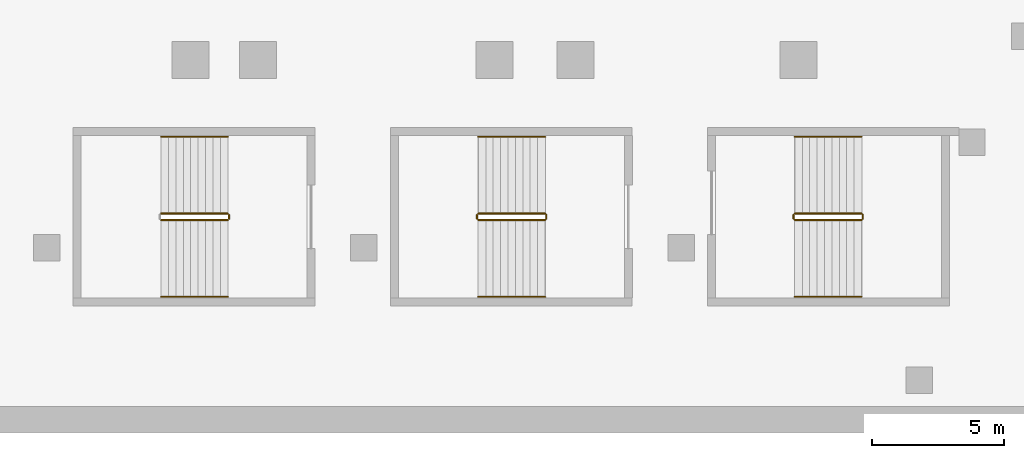
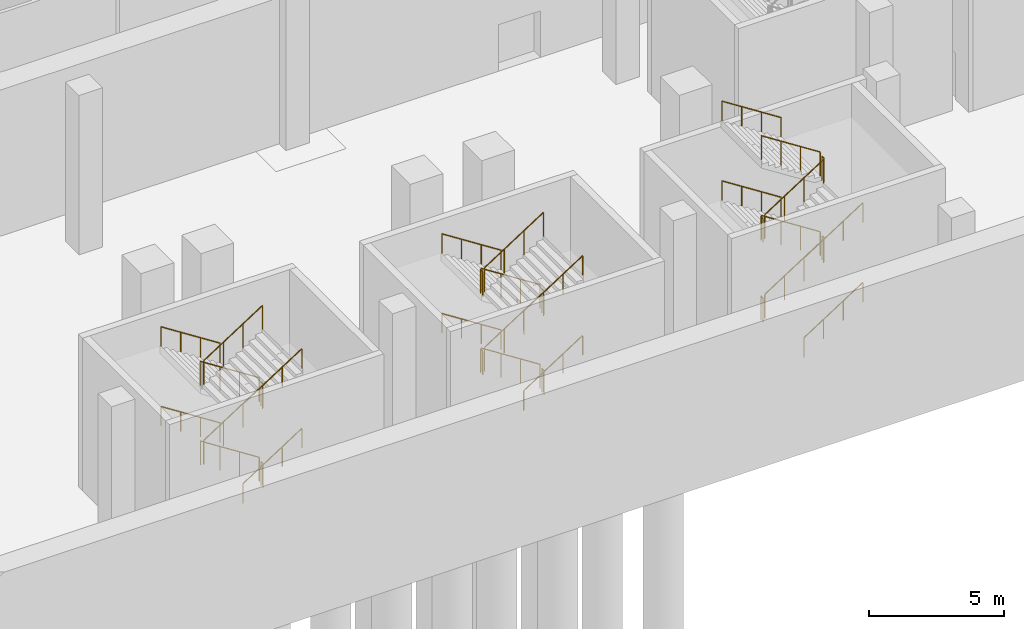
# One storey, part 13 of 15: 34 railings.
"""IFC4 building model written with IfcOpenShell, lengths in metres."""

from ifc_helpers import new_model, si_unit, direction, frame, origin, origin_2d, place, context, subcontext, project, spatial, circle, extrude, material, type_object, element, save


model = new_model("IFC4")

# Units and contexts
model_context = context("Model", 3, precision=1e-05, world=origin(), true_north=direction((0.0, 1.0)))
body_context = subcontext(model_context, "Body", "Model", "MODEL_VIEW")
ifc_project = project(units=[si_unit("LENGTHUNIT", "METRE"), si_unit("AREAUNIT", "SQUARE_METRE"), si_unit("VOLUMEUNIT", "CUBIC_METRE"), si_unit("PLANEANGLEUNIT", "RADIAN"), si_unit("MASSUNIT", "GRAM", prefix="KILO")], contexts=[model_context])

# Site, building, storey
site_placement = place(None, origin())
site = spatial("IfcSite", under=ifc_project, at=site_placement, CompositionType="ELEMENT")
building_placement = place(site_placement, origin())
building = spatial("IfcBuilding", under=site, at=building_placement, Name="Wharfspan Tower", CompositionType="ELEMENT")
storey_placement = place(building_placement, frame((0.0, 0.0, -7.199951)))
storey = spatial("IfcBuildingStorey", under=building, at=storey_placement, Name="B1", CompositionType="ELEMENT", Elevation=-7.199951)

# Railings
ifc_material = material(Name="Steel S355J2", Category="steel")
railing_type_1 = type_object("IfcRailingType", Name="Podium guard 1100", PredefinedType="GUARDRAIL", material=ifc_material)
railing_1_placement = place(storey_placement, frame((58.850098, -27.699951, 0.179932)))
element("IfcRailing", 1, at=railing_1_placement, inside=storey, type_object=railing_type_1, Name="B1 SB3 stair guard 1", PredefinedType="GUARDRAIL", context=body_context, shape_type="SweptSolid", body=[
    extrude(circle(Radius=0.023926, at=origin_2d()), frame((0.0, 0.0, 1.076172), z_axis=(-0.841163, 0.0, 0.540782), x_axis=(0.0, -1.0, 0.0)), (0.0, 0.0, 1.0), 2.99585),
    extrude(circle(Radius=0.020996, at=origin_2d()), origin(), (0.0, 0.0, 1.0), 1.052002),
    extrude(circle(Radius=0.020996, at=origin_2d()), frame((-0.840088, 0.0, 0.540039)), (0.0, 0.0, 1.0), 1.052002),
    extrude(circle(Radius=0.020996, at=origin_2d()), frame((-1.679932, 0.0, 1.080078)), (0.0, 0.0, 1.0), 1.052002),
    extrude(circle(Radius=0.020996, at=origin_2d()), frame((-2.52002, 0.0, 1.620117)), (0.0, 0.0, 1.0), 1.052002),
])
railing_2_placement = place(storey_placement, frame((56.330078, -27.949951, 1.97998)))
element("IfcRailing", 2, at=railing_2_placement, inside=storey, type_object=railing_type_1, Name="B1 SB3 stair guard 3", PredefinedType="GUARDRAIL", context=body_context, shape_type="SweptSolid", body=[
    extrude(circle(Radius=0.023926, at=origin_2d()), frame((0.0, 0.0, 1.076172), z_axis=(0.8412, 0.0, 0.540725), x_axis=(0.0, 1.0, 0.0)), (0.0, 0.0, 1.0), 2.99585),
    extrude(circle(Radius=0.020996, at=origin_2d()), origin(), (0.0, 0.0, 1.0), 1.052002),
    extrude(circle(Radius=0.020996, at=origin_2d()), frame((0.840088, 0.0, 0.540039)), (0.0, 0.0, 1.0), 1.052002),
    extrude(circle(Radius=0.020996, at=origin_2d()), frame((1.679932, 0.0, 1.079834)), (0.0, 0.0, 1.0), 1.052002),
    extrude(circle(Radius=0.020996, at=origin_2d()), frame((2.52002, 0.0, 1.619873)), (0.0, 0.0, 1.0), 1.052002),
])
railing_3_placement = place(storey_placement, frame((58.899902, -27.75, 3.599854)))
element("IfcRailing", 3, at=railing_3_placement, inside=storey, type_object=railing_type_1, Name="B1 SB3 stair guard 4", PredefinedType="GUARDRAIL", context=body_context, shape_type="SweptSolid", body=[
    extrude(circle(Radius=0.023926, at=origin_2d()), frame((0.0, 0.0, 1.076172), z_axis=(0.0, -1.0, 0.0), x_axis=(1.0, 0.0, 0.0)), (0.0, 0.0, 1.0), 0.149902),
    extrude(circle(Radius=0.020996, at=origin_2d()), origin(), (0.0, 0.0, 1.0), 1.052002),
    extrude(circle(Radius=0.020996, at=origin_2d()), frame((0.0, -0.149902, 0.0)), (0.0, 0.0, 1.0), 1.052002),
])
railing_4_placement = place(storey_placement, frame((58.850098, -27.699951, 3.780029)))
element("IfcRailing", 4, at=railing_4_placement, inside=storey, type_object=railing_type_1, Name="B1 SB3 stair guard 5", PredefinedType="GUARDRAIL", context=body_context, shape_type="SweptSolid", body=[
    extrude(circle(Radius=0.023926, at=origin_2d()), frame((0.0, 0.0, 1.076172), z_axis=(-0.8412, 0.0, 0.540725), x_axis=(0.0, -1.0, 0.0)), (0.0, 0.0, 1.0), 2.99585),
    extrude(circle(Radius=0.020996, at=origin_2d()), origin(), (0.0, 0.0, 1.0), 1.052002),
    extrude(circle(Radius=0.020996, at=origin_2d()), frame((-0.840088, 0.0, 0.540039)), (0.0, 0.0, 1.0), 1.052002),
    extrude(circle(Radius=0.020996, at=origin_2d()), frame((-1.679932, 0.0, 1.079834)), (0.0, 0.0, 1.0), 1.052002),
    extrude(circle(Radius=0.020996, at=origin_2d()), frame((-2.52002, 0.0, 1.619873)), (0.0, 0.0, 1.0), 1.052002),
])
railing_5_placement = place(storey_placement, frame((56.330078, -27.949951, 5.579834)))
element("IfcRailing", 5, at=railing_5_placement, inside=storey, type_object=railing_type_1, Name="B1 SB3 stair guard 7", PredefinedType="GUARDRAIL", context=body_context, shape_type="SweptSolid", body=[
    extrude(circle(Radius=0.023926, at=origin_2d()), frame((0.0, 0.0, 1.076172), z_axis=(0.841163, 0.0, 0.540782), x_axis=(0.0, 1.0, 0.0)), (0.0, 0.0, 1.0), 2.99585),
    extrude(circle(Radius=0.020996, at=origin_2d()), origin(), (0.0, 0.0, 1.0), 1.052002),
    extrude(circle(Radius=0.020996, at=origin_2d()), frame((0.840088, 0.0, 0.540039)), (0.0, 0.0, 1.0), 1.052002),
    extrude(circle(Radius=0.020996, at=origin_2d()), frame((1.679932, 0.0, 1.080078)), (0.0, 0.0, 1.0), 1.052002),
    extrude(circle(Radius=0.020996, at=origin_2d()), frame((2.52002, 0.0, 1.620117)), (0.0, 0.0, 1.0), 1.052002),
])
railing_6_placement = place(storey_placement, frame((58.899902, -27.75, 0.0)))
element("IfcRailing", 6, at=railing_6_placement, inside=storey, type_object=railing_type_1, Name="B1 SB3 stair guard 8", PredefinedType="GUARDRAIL", context=body_context, shape_type="SweptSolid", body=[
    extrude(circle(Radius=0.023926, at=origin_2d()), frame((0.0, 0.0, 1.076172), z_axis=(0.0, -1.0, 0.0), x_axis=(1.0, 0.0, 0.0)), (0.0, 0.0, 1.0), 0.149902),
    extrude(circle(Radius=0.020996, at=origin_2d()), origin(), (0.0, 0.0, 1.0), 1.052002),
    extrude(circle(Radius=0.020996, at=origin_2d()), frame((0.0, -0.149902, 0.0)), (0.0, 0.0, 1.0), 1.052002),
])
railing_7_placement = place(storey_placement, frame((70.850098, -27.699951, 0.179932)))
element("IfcRailing", 7, at=railing_7_placement, inside=storey, type_object=railing_type_1, Name="B1 SB4 stair guard 1", PredefinedType="GUARDRAIL", context=body_context, shape_type="SweptSolid", body=[
    extrude(circle(Radius=0.023926, at=origin_2d()), frame((0.0, 0.0, 1.076172), z_axis=(-0.841163, 0.0, 0.540782), x_axis=(0.0, -1.0, 0.0)), (0.0, 0.0, 1.0), 2.99585),
    extrude(circle(Radius=0.020996, at=origin_2d()), origin(), (0.0, 0.0, 1.0), 1.052002),
    extrude(circle(Radius=0.020996, at=origin_2d()), frame((-0.840088, 0.0, 0.540039)), (0.0, 0.0, 1.0), 1.052002),
    extrude(circle(Radius=0.020996, at=origin_2d()), frame((-1.679932, 0.0, 1.080078)), (0.0, 0.0, 1.0), 1.052002),
    extrude(circle(Radius=0.020996, at=origin_2d()), frame((-2.52002, 0.0, 1.620117)), (0.0, 0.0, 1.0), 1.052002),
])
railing_8_placement = place(storey_placement, frame((68.280029, -27.75, 1.800049)))
element("IfcRailing", 8, at=railing_8_placement, inside=storey, type_object=railing_type_1, Name="B1 SB4 stair guard 2", PredefinedType="GUARDRAIL", context=body_context, shape_type="SweptSolid", body=[
    extrude(circle(Radius=0.023926, at=origin_2d()), frame((0.0, 0.0, 1.076172), z_axis=(0.0, -1.0, 0.0), x_axis=(1.0, 0.0, 0.0)), (0.0, 0.0, 1.0), 0.149902),
    extrude(circle(Radius=0.020996, at=origin_2d()), origin(), (0.0, 0.0, 1.0), 1.052002),
    extrude(circle(Radius=0.020996, at=origin_2d()), frame((0.0, -0.149902, 0.0)), (0.0, 0.0, 1.0), 1.052002),
])
railing_9_placement = place(storey_placement, frame((68.330078, -27.949951, 1.97998)))
element("IfcRailing", 9, at=railing_9_placement, inside=storey, type_object=railing_type_1, Name="B1 SB4 stair guard 3", PredefinedType="GUARDRAIL", context=body_context, shape_type="SweptSolid", body=[
    extrude(circle(Radius=0.023926, at=origin_2d()), frame((0.0, 0.0, 1.076172), z_axis=(0.8412, 0.0, 0.540725), x_axis=(0.0, 1.0, 0.0)), (0.0, 0.0, 1.0), 2.99585),
    extrude(circle(Radius=0.020996, at=origin_2d()), origin(), (0.0, 0.0, 1.0), 1.052002),
    extrude(circle(Radius=0.020996, at=origin_2d()), frame((0.840088, 0.0, 0.540039)), (0.0, 0.0, 1.0), 1.052002),
    extrude(circle(Radius=0.020996, at=origin_2d()), frame((1.679932, 0.0, 1.079834)), (0.0, 0.0, 1.0), 1.052002),
    extrude(circle(Radius=0.020996, at=origin_2d()), frame((2.52002, 0.0, 1.619873)), (0.0, 0.0, 1.0), 1.052002),
])
railing_10_placement = place(storey_placement, frame((70.899902, -27.75, 3.599854)))
element("IfcRailing", 10, at=railing_10_placement, inside=storey, type_object=railing_type_1, Name="B1 SB4 stair guard 4", PredefinedType="GUARDRAIL", context=body_context, shape_type="SweptSolid", body=[
    extrude(circle(Radius=0.023926, at=origin_2d()), frame((0.0, 0.0, 1.076172), z_axis=(0.0, -1.0, 0.0), x_axis=(1.0, 0.0, 0.0)), (0.0, 0.0, 1.0), 0.149902),
    extrude(circle(Radius=0.020996, at=origin_2d()), origin(), (0.0, 0.0, 1.0), 1.052002),
    extrude(circle(Radius=0.020996, at=origin_2d()), frame((0.0, -0.149902, 0.0)), (0.0, 0.0, 1.0), 1.052002),
])
railing_11_placement = place(storey_placement, frame((70.850098, -27.699951, 3.780029)))
element("IfcRailing", 11, at=railing_11_placement, inside=storey, type_object=railing_type_1, Name="B1 SB4 stair guard 5", PredefinedType="GUARDRAIL", context=body_context, shape_type="SweptSolid", body=[
    extrude(circle(Radius=0.023926, at=origin_2d()), frame((0.0, 0.0, 1.076172), z_axis=(-0.8412, 0.0, 0.540725), x_axis=(0.0, -1.0, 0.0)), (0.0, 0.0, 1.0), 2.99585),
    extrude(circle(Radius=0.020996, at=origin_2d()), origin(), (0.0, 0.0, 1.0), 1.052002),
    extrude(circle(Radius=0.020996, at=origin_2d()), frame((-0.840088, 0.0, 0.540039)), (0.0, 0.0, 1.0), 1.052002),
    extrude(circle(Radius=0.020996, at=origin_2d()), frame((-1.679932, 0.0, 1.079834)), (0.0, 0.0, 1.0), 1.052002),
    extrude(circle(Radius=0.020996, at=origin_2d()), frame((-2.52002, 0.0, 1.619873)), (0.0, 0.0, 1.0), 1.052002),
])
railing_12_placement = place(storey_placement, frame((68.280029, -27.75, 5.399902)))
element("IfcRailing", 12, at=railing_12_placement, inside=storey, type_object=railing_type_1, Name="B1 SB4 stair guard 6", PredefinedType="GUARDRAIL", context=body_context, shape_type="SweptSolid", body=[
    extrude(circle(Radius=0.023926, at=origin_2d()), frame((0.0, 0.0, 1.076172), z_axis=(0.0, -1.0, 0.0), x_axis=(1.0, 0.0, 0.0)), (0.0, 0.0, 1.0), 0.149902),
    extrude(circle(Radius=0.020996, at=origin_2d()), origin(), (0.0, 0.0, 1.0), 1.052002),
    extrude(circle(Radius=0.020996, at=origin_2d()), frame((0.0, -0.149902, 0.0)), (0.0, 0.0, 1.0), 1.052002),
])
railing_13_placement = place(storey_placement, frame((68.330078, -27.949951, 5.579834)))
element("IfcRailing", 13, at=railing_13_placement, inside=storey, type_object=railing_type_1, Name="B1 SB4 stair guard 7", PredefinedType="GUARDRAIL", context=body_context, shape_type="SweptSolid", body=[
    extrude(circle(Radius=0.023926, at=origin_2d()), frame((0.0, 0.0, 1.076172), z_axis=(0.841163, 0.0, 0.540782), x_axis=(0.0, 1.0, 0.0)), (0.0, 0.0, 1.0), 2.99585),
    extrude(circle(Radius=0.020996, at=origin_2d()), origin(), (0.0, 0.0, 1.0), 1.052002),
    extrude(circle(Radius=0.020996, at=origin_2d()), frame((0.840088, 0.0, 0.540039)), (0.0, 0.0, 1.0), 1.052002),
    extrude(circle(Radius=0.020996, at=origin_2d()), frame((1.679932, 0.0, 1.080078)), (0.0, 0.0, 1.0), 1.052002),
    extrude(circle(Radius=0.020996, at=origin_2d()), frame((2.52002, 0.0, 1.620117)), (0.0, 0.0, 1.0), 1.052002),
])
railing_14_placement = place(storey_placement, frame((70.899902, -27.75, 0.0)))
element("IfcRailing", 14, at=railing_14_placement, inside=storey, type_object=railing_type_1, Name="B1 SB4 stair guard 8", PredefinedType="GUARDRAIL", context=body_context, shape_type="SweptSolid", body=[
    extrude(circle(Radius=0.023926, at=origin_2d()), frame((0.0, 0.0, 1.076172), z_axis=(0.0, -1.0, 0.0), x_axis=(1.0, 0.0, 0.0)), (0.0, 0.0, 1.0), 0.149902),
    extrude(circle(Radius=0.020996, at=origin_2d()), origin(), (0.0, 0.0, 1.0), 1.052002),
    extrude(circle(Radius=0.020996, at=origin_2d()), frame((0.0, -0.149902, 0.0)), (0.0, 0.0, 1.0), 1.052002),
])
railing_15_placement = place(storey_placement, frame((80.300049, -27.949951, 0.179932)))
element("IfcRailing", 15, at=railing_15_placement, inside=storey, type_object=railing_type_1, Name="B1 SB5 stair guard 1", PredefinedType="GUARDRAIL", context=body_context, shape_type="SweptSolid", body=[
    extrude(circle(Radius=0.023926, at=origin_2d()), frame((0.0, 0.0, 1.076172), z_axis=(0.841163, 0.0, 0.540782), x_axis=(0.0, 1.0, 0.0)), (0.0, 0.0, 1.0), 2.99585),
    extrude(circle(Radius=0.020996, at=origin_2d()), origin(), (0.0, 0.0, 1.0), 1.052002),
    extrude(circle(Radius=0.020996, at=origin_2d()), frame((0.840088, 0.0, 0.540039)), (0.0, 0.0, 1.0), 1.052002),
    extrude(circle(Radius=0.020996, at=origin_2d()), frame((1.679932, 0.0, 1.080078)), (0.0, 0.0, 1.0), 1.052002),
    extrude(circle(Radius=0.020996, at=origin_2d()), frame((2.52002, 0.0, 1.620117)), (0.0, 0.0, 1.0), 1.052002),
])
railing_16_placement = place(storey_placement, frame((82.870117, -27.899902, 1.800049)))
element("IfcRailing", 16, at=railing_16_placement, inside=storey, type_object=railing_type_1, Name="B1 SB5 stair guard 2", PredefinedType="GUARDRAIL", context=body_context, shape_type="SweptSolid", body=[
    extrude(circle(Radius=0.023926, at=origin_2d()), frame((0.0, 0.0, 1.076172), z_axis=(0.0, 1.0, 0.0), x_axis=(-1.0, 0.0, 0.0)), (0.0, 0.0, 1.0), 0.149902),
    extrude(circle(Radius=0.020996, at=origin_2d()), origin(), (0.0, 0.0, 1.0), 1.052002),
    extrude(circle(Radius=0.020996, at=origin_2d()), frame((0.0, 0.149902, 0.0)), (0.0, 0.0, 1.0), 1.052002),
])
railing_17_placement = place(storey_placement, frame((82.820068, -27.699951, 1.97998)))
element("IfcRailing", 17, at=railing_17_placement, inside=storey, type_object=railing_type_1, Name="B1 SB5 stair guard 3", PredefinedType="GUARDRAIL", context=body_context, shape_type="SweptSolid", body=[
    extrude(circle(Radius=0.023926, at=origin_2d()), frame((0.0, 0.0, 1.076172), z_axis=(-0.8412, 0.0, 0.540725), x_axis=(0.0, -1.0, 0.0)), (0.0, 0.0, 1.0), 2.99585),
    extrude(circle(Radius=0.020996, at=origin_2d()), origin(), (0.0, 0.0, 1.0), 1.052002),
    extrude(circle(Radius=0.020996, at=origin_2d()), frame((-0.840088, 0.0, 0.540039)), (0.0, 0.0, 1.0), 1.052002),
    extrude(circle(Radius=0.020996, at=origin_2d()), frame((-1.679932, 0.0, 1.079834)), (0.0, 0.0, 1.0), 1.052002),
    extrude(circle(Radius=0.020996, at=origin_2d()), frame((-2.52002, 0.0, 1.619873)), (0.0, 0.0, 1.0), 1.052002),
])
railing_18_placement = place(storey_placement, frame((80.25, -27.899902, 3.599854)))
element("IfcRailing", 18, at=railing_18_placement, inside=storey, type_object=railing_type_1, Name="B1 SB5 stair guard 4", PredefinedType="GUARDRAIL", context=body_context, shape_type="SweptSolid", body=[
    extrude(circle(Radius=0.023926, at=origin_2d()), frame((0.0, 0.0, 1.076172), z_axis=(0.0, 1.0, 0.0), x_axis=(-1.0, 0.0, 0.0)), (0.0, 0.0, 1.0), 0.149902),
    extrude(circle(Radius=0.020996, at=origin_2d()), origin(), (0.0, 0.0, 1.0), 1.052002),
    extrude(circle(Radius=0.020996, at=origin_2d()), frame((0.0, 0.149902, 0.0)), (0.0, 0.0, 1.0), 1.052002),
])
railing_19_placement = place(storey_placement, frame((80.300049, -27.949951, 3.780029)))
element("IfcRailing", 19, at=railing_19_placement, inside=storey, type_object=railing_type_1, Name="B1 SB5 stair guard 5", PredefinedType="GUARDRAIL", context=body_context, shape_type="SweptSolid", body=[
    extrude(circle(Radius=0.023926, at=origin_2d()), frame((0.0, 0.0, 1.076172), z_axis=(0.8412, 0.0, 0.540725), x_axis=(0.0, 1.0, 0.0)), (0.0, 0.0, 1.0), 2.99585),
    extrude(circle(Radius=0.020996, at=origin_2d()), origin(), (0.0, 0.0, 1.0), 1.052002),
    extrude(circle(Radius=0.020996, at=origin_2d()), frame((0.840088, 0.0, 0.540039)), (0.0, 0.0, 1.0), 1.052002),
    extrude(circle(Radius=0.020996, at=origin_2d()), frame((1.679932, 0.0, 1.079834)), (0.0, 0.0, 1.0), 1.052002),
    extrude(circle(Radius=0.020996, at=origin_2d()), frame((2.52002, 0.0, 1.619873)), (0.0, 0.0, 1.0), 1.052002),
])
railing_20_placement = place(storey_placement, frame((82.870117, -27.899902, 5.399902)))
element("IfcRailing", 20, at=railing_20_placement, inside=storey, type_object=railing_type_1, Name="B1 SB5 stair guard 6", PredefinedType="GUARDRAIL", context=body_context, shape_type="SweptSolid", body=[
    extrude(circle(Radius=0.023926, at=origin_2d()), frame((0.0, 0.0, 1.076172), z_axis=(0.0, 1.0, 0.0), x_axis=(-1.0, 0.0, 0.0)), (0.0, 0.0, 1.0), 0.149902),
    extrude(circle(Radius=0.020996, at=origin_2d()), origin(), (0.0, 0.0, 1.0), 1.052002),
    extrude(circle(Radius=0.020996, at=origin_2d()), frame((0.0, 0.149902, 0.0)), (0.0, 0.0, 1.0), 1.052002),
])
railing_21_placement = place(storey_placement, frame((82.820068, -27.699951, 5.579834)))
element("IfcRailing", 21, at=railing_21_placement, inside=storey, type_object=railing_type_1, Name="B1 SB5 stair guard 7", PredefinedType="GUARDRAIL", context=body_context, shape_type="SweptSolid", body=[
    extrude(circle(Radius=0.023926, at=origin_2d()), frame((0.0, 0.0, 1.076172), z_axis=(-0.841163, 0.0, 0.540782), x_axis=(0.0, -1.0, 0.0)), (0.0, 0.0, 1.0), 2.99585),
    extrude(circle(Radius=0.020996, at=origin_2d()), origin(), (0.0, 0.0, 1.0), 1.052002),
    extrude(circle(Radius=0.020996, at=origin_2d()), frame((-0.840088, 0.0, 0.540039)), (0.0, 0.0, 1.0), 1.052002),
    extrude(circle(Radius=0.020996, at=origin_2d()), frame((-1.679932, 0.0, 1.080078)), (0.0, 0.0, 1.0), 1.052002),
    extrude(circle(Radius=0.020996, at=origin_2d()), frame((-2.52002, 0.0, 1.620117)), (0.0, 0.0, 1.0), 1.052002),
])
railing_22_placement = place(storey_placement, frame((80.25, -27.899902, 0.0)))
element("IfcRailing", 22, at=railing_22_placement, inside=storey, type_object=railing_type_1, Name="B1 SB5 stair guard 8", PredefinedType="GUARDRAIL", context=body_context, shape_type="SweptSolid", body=[
    extrude(circle(Radius=0.023926, at=origin_2d()), frame((0.0, 0.0, 1.076172), z_axis=(0.0, 1.0, 0.0), x_axis=(-1.0, 0.0, 0.0)), (0.0, 0.0, 1.0), 0.149902),
    extrude(circle(Radius=0.020996, at=origin_2d()), origin(), (0.0, 0.0, 1.0), 1.052002),
    extrude(circle(Radius=0.020996, at=origin_2d()), frame((0.0, 0.149902, 0.0)), (0.0, 0.0, 1.0), 1.052002),
])
railing_type_2 = type_object("IfcRailingType", Name="Podium stair handrail 900", PredefinedType="HANDRAIL", material=ifc_material)
railing_23_placement = place(storey_placement, frame((58.850098, -24.800049, 0.179932)))
element("IfcRailing", 23, at=railing_23_placement, inside=storey, type_object=railing_type_2, Name="B1 SB3 stair handrail 1", PredefinedType="HANDRAIL", context=body_context, shape_type="SweptSolid", body=[
    extrude(circle(Radius=0.023926, at=origin_2d()), frame((0.0, 0.0, 0.875977), z_axis=(-0.841163, 0.0, 0.540782), x_axis=(0.0, -1.0, 0.0)), (0.0, 0.0, 1.0), 2.99585),
    extrude(circle(Radius=0.020996, at=origin_2d()), origin(), (0.0, 0.0, 1.0), 0.851807),
    extrude(circle(Radius=0.020996, at=origin_2d()), frame((-0.840088, 0.0, 0.540039)), (0.0, 0.0, 1.0), 0.851807),
    extrude(circle(Radius=0.020996, at=origin_2d()), frame((-1.679932, 0.0, 1.080078)), (0.0, 0.0, 1.0), 0.851807),
    extrude(circle(Radius=0.020996, at=origin_2d()), frame((-2.52002, 0.0, 1.620117)), (0.0, 0.0, 1.0), 0.851807),
])
railing_24_placement = place(storey_placement, frame((56.330078, -30.850098, 1.97998)))
element("IfcRailing", 24, at=railing_24_placement, inside=storey, type_object=railing_type_2, Name="B1 SB3 stair handrail 2", PredefinedType="HANDRAIL", context=body_context, shape_type="SweptSolid", body=[
    extrude(circle(Radius=0.023926, at=origin_2d()), frame((0.0, 0.0, 0.875977), z_axis=(0.8412, 0.0, 0.540725), x_axis=(0.0, 1.0, 0.0)), (0.0, 0.0, 1.0), 2.99585),
    extrude(circle(Radius=0.020996, at=origin_2d()), origin(), (0.0, 0.0, 1.0), 0.851807),
    extrude(circle(Radius=0.020996, at=origin_2d()), frame((0.840088, 0.0, 0.540039)), (0.0, 0.0, 1.0), 0.851807),
    extrude(circle(Radius=0.020996, at=origin_2d()), frame((1.679932, 0.0, 1.079834)), (0.0, 0.0, 1.0), 0.851807),
    extrude(circle(Radius=0.020996, at=origin_2d()), frame((2.52002, 0.0, 1.619873)), (0.0, 0.0, 1.0), 0.851807),
])
railing_25_placement = place(storey_placement, frame((58.850098, -24.800049, 3.780029)))
element("IfcRailing", 25, at=railing_25_placement, inside=storey, type_object=railing_type_2, Name="B1 SB3 stair handrail 3", PredefinedType="HANDRAIL", context=body_context, shape_type="SweptSolid", body=[
    extrude(circle(Radius=0.023926, at=origin_2d()), frame((0.0, 0.0, 0.875977), z_axis=(-0.8412, 0.0, 0.540725), x_axis=(0.0, -1.0, 0.0)), (0.0, 0.0, 1.0), 2.99585),
    extrude(circle(Radius=0.020996, at=origin_2d()), origin(), (0.0, 0.0, 1.0), 0.851807),
    extrude(circle(Radius=0.020996, at=origin_2d()), frame((-0.840088, 0.0, 0.540039)), (0.0, 0.0, 1.0), 0.851807),
    extrude(circle(Radius=0.020996, at=origin_2d()), frame((-1.679932, 0.0, 1.079834)), (0.0, 0.0, 1.0), 0.851807),
    extrude(circle(Radius=0.020996, at=origin_2d()), frame((-2.52002, 0.0, 1.619873)), (0.0, 0.0, 1.0), 0.851807),
])
railing_26_placement = place(storey_placement, frame((56.330078, -30.850098, 5.579834)))
element("IfcRailing", 26, at=railing_26_placement, inside=storey, type_object=railing_type_2, Name="B1 SB3 stair handrail 4", PredefinedType="HANDRAIL", context=body_context, shape_type="SweptSolid", body=[
    extrude(circle(Radius=0.023926, at=origin_2d()), frame((0.0, 0.0, 0.875977), z_axis=(0.841163, 0.0, 0.540782), x_axis=(0.0, 1.0, 0.0)), (0.0, 0.0, 1.0), 2.99585),
    extrude(circle(Radius=0.020996, at=origin_2d()), origin(), (0.0, 0.0, 1.0), 0.851807),
    extrude(circle(Radius=0.020996, at=origin_2d()), frame((0.840088, 0.0, 0.540039)), (0.0, 0.0, 1.0), 0.851807),
    extrude(circle(Radius=0.020996, at=origin_2d()), frame((1.679932, 0.0, 1.080078)), (0.0, 0.0, 1.0), 0.851807),
    extrude(circle(Radius=0.020996, at=origin_2d()), frame((2.52002, 0.0, 1.620117)), (0.0, 0.0, 1.0), 0.851807),
])
railing_27_placement = place(storey_placement, frame((70.850098, -24.800049, 0.179932)))
element("IfcRailing", 27, at=railing_27_placement, inside=storey, type_object=railing_type_2, Name="B1 SB4 stair handrail 1", PredefinedType="HANDRAIL", context=body_context, shape_type="SweptSolid", body=[
    extrude(circle(Radius=0.023926, at=origin_2d()), frame((0.0, 0.0, 0.875977), z_axis=(-0.841163, 0.0, 0.540782), x_axis=(0.0, -1.0, 0.0)), (0.0, 0.0, 1.0), 2.99585),
    extrude(circle(Radius=0.020996, at=origin_2d()), origin(), (0.0, 0.0, 1.0), 0.851807),
    extrude(circle(Radius=0.020996, at=origin_2d()), frame((-0.840088, 0.0, 0.540039)), (0.0, 0.0, 1.0), 0.851807),
    extrude(circle(Radius=0.020996, at=origin_2d()), frame((-1.679932, 0.0, 1.080078)), (0.0, 0.0, 1.0), 0.851807),
    extrude(circle(Radius=0.020996, at=origin_2d()), frame((-2.52002, 0.0, 1.620117)), (0.0, 0.0, 1.0), 0.851807),
])
railing_28_placement = place(storey_placement, frame((68.330078, -30.850098, 1.97998)))
element("IfcRailing", 28, at=railing_28_placement, inside=storey, type_object=railing_type_2, Name="B1 SB4 stair handrail 2", PredefinedType="HANDRAIL", context=body_context, shape_type="SweptSolid", body=[
    extrude(circle(Radius=0.023926, at=origin_2d()), frame((0.0, 0.0, 0.875977), z_axis=(0.8412, 0.0, 0.540725), x_axis=(0.0, 1.0, 0.0)), (0.0, 0.0, 1.0), 2.99585),
    extrude(circle(Radius=0.020996, at=origin_2d()), origin(), (0.0, 0.0, 1.0), 0.851807),
    extrude(circle(Radius=0.020996, at=origin_2d()), frame((0.840088, 0.0, 0.540039)), (0.0, 0.0, 1.0), 0.851807),
    extrude(circle(Radius=0.020996, at=origin_2d()), frame((1.679932, 0.0, 1.079834)), (0.0, 0.0, 1.0), 0.851807),
    extrude(circle(Radius=0.020996, at=origin_2d()), frame((2.52002, 0.0, 1.619873)), (0.0, 0.0, 1.0), 0.851807),
])
railing_29_placement = place(storey_placement, frame((70.850098, -24.800049, 3.780029)))
element("IfcRailing", 29, at=railing_29_placement, inside=storey, type_object=railing_type_2, Name="B1 SB4 stair handrail 3", PredefinedType="HANDRAIL", context=body_context, shape_type="SweptSolid", body=[
    extrude(circle(Radius=0.023926, at=origin_2d()), frame((0.0, 0.0, 0.875977), z_axis=(-0.8412, 0.0, 0.540725), x_axis=(0.0, -1.0, 0.0)), (0.0, 0.0, 1.0), 2.99585),
    extrude(circle(Radius=0.020996, at=origin_2d()), origin(), (0.0, 0.0, 1.0), 0.851807),
    extrude(circle(Radius=0.020996, at=origin_2d()), frame((-0.840088, 0.0, 0.540039)), (0.0, 0.0, 1.0), 0.851807),
    extrude(circle(Radius=0.020996, at=origin_2d()), frame((-1.679932, 0.0, 1.079834)), (0.0, 0.0, 1.0), 0.851807),
    extrude(circle(Radius=0.020996, at=origin_2d()), frame((-2.52002, 0.0, 1.619873)), (0.0, 0.0, 1.0), 0.851807),
])
for number, where, name in (
    (30, (68.330078, -30.850098, 5.579834), "B1 SB4 stair handrail 4"),
    (31, (80.300049, -30.850098, 0.179932), "B1 SB5 stair handrail 1"),
):
    element("IfcRailing", number, at=place(storey_placement, frame(where)), inside=storey, type_object=railing_type_2, Name=name, PredefinedType="HANDRAIL", context=body_context, shape_type="SweptSolid", body=[
        extrude(circle(Radius=0.023926, at=origin_2d()), frame((0.0, 0.0, 0.875977), z_axis=(0.841163, 0.0, 0.540782), x_axis=(0.0, 1.0, 0.0)), (0.0, 0.0, 1.0), 2.99585),
        extrude(circle(Radius=0.020996, at=origin_2d()), origin(), (0.0, 0.0, 1.0), 0.851807),
        extrude(circle(Radius=0.020996, at=origin_2d()), frame((0.840088, 0.0, 0.540039)), (0.0, 0.0, 1.0), 0.851807),
        extrude(circle(Radius=0.020996, at=origin_2d()), frame((1.679932, 0.0, 1.080078)), (0.0, 0.0, 1.0), 0.851807),
        extrude(circle(Radius=0.020996, at=origin_2d()), frame((2.52002, 0.0, 1.620117)), (0.0, 0.0, 1.0), 0.851807),
    ])
railing_30_placement = place(storey_placement, frame((82.820068, -24.800049, 1.97998)))
element("IfcRailing", 32, at=railing_30_placement, inside=storey, type_object=railing_type_2, Name="B1 SB5 stair handrail 2", PredefinedType="HANDRAIL", context=body_context, shape_type="SweptSolid", body=[
    extrude(circle(Radius=0.023926, at=origin_2d()), frame((0.0, 0.0, 0.875977), z_axis=(-0.8412, 0.0, 0.540725), x_axis=(0.0, -1.0, 0.0)), (0.0, 0.0, 1.0), 2.99585),
    extrude(circle(Radius=0.020996, at=origin_2d()), origin(), (0.0, 0.0, 1.0), 0.851807),
    extrude(circle(Radius=0.020996, at=origin_2d()), frame((-0.840088, 0.0, 0.540039)), (0.0, 0.0, 1.0), 0.851807),
    extrude(circle(Radius=0.020996, at=origin_2d()), frame((-1.679932, 0.0, 1.079834)), (0.0, 0.0, 1.0), 0.851807),
    extrude(circle(Radius=0.020996, at=origin_2d()), frame((-2.52002, 0.0, 1.619873)), (0.0, 0.0, 1.0), 0.851807),
])
railing_31_placement = place(storey_placement, frame((80.300049, -30.850098, 3.780029)))
element("IfcRailing", 33, at=railing_31_placement, inside=storey, type_object=railing_type_2, Name="B1 SB5 stair handrail 3", PredefinedType="HANDRAIL", context=body_context, shape_type="SweptSolid", body=[
    extrude(circle(Radius=0.023926, at=origin_2d()), frame((0.0, 0.0, 0.875977), z_axis=(0.8412, 0.0, 0.540725), x_axis=(0.0, 1.0, 0.0)), (0.0, 0.0, 1.0), 2.99585),
    extrude(circle(Radius=0.020996, at=origin_2d()), origin(), (0.0, 0.0, 1.0), 0.851807),
    extrude(circle(Radius=0.020996, at=origin_2d()), frame((0.840088, 0.0, 0.540039)), (0.0, 0.0, 1.0), 0.851807),
    extrude(circle(Radius=0.020996, at=origin_2d()), frame((1.679932, 0.0, 1.079834)), (0.0, 0.0, 1.0), 0.851807),
    extrude(circle(Radius=0.020996, at=origin_2d()), frame((2.52002, 0.0, 1.619873)), (0.0, 0.0, 1.0), 0.851807),
])
railing_32_placement = place(storey_placement, frame((82.820068, -24.800049, 5.579834)))
element("IfcRailing", 34, at=railing_32_placement, inside=storey, type_object=railing_type_2, Name="B1 SB5 stair handrail 4", PredefinedType="HANDRAIL", context=body_context, shape_type="SweptSolid", body=[
    extrude(circle(Radius=0.023926, at=origin_2d()), frame((0.0, 0.0, 0.875977), z_axis=(-0.841163, 0.0, 0.540782), x_axis=(0.0, -1.0, 0.0)), (0.0, 0.0, 1.0), 2.99585),
    extrude(circle(Radius=0.020996, at=origin_2d()), origin(), (0.0, 0.0, 1.0), 0.851807),
    extrude(circle(Radius=0.020996, at=origin_2d()), frame((-0.840088, 0.0, 0.540039)), (0.0, 0.0, 1.0), 0.851807),
    extrude(circle(Radius=0.020996, at=origin_2d()), frame((-1.679932, 0.0, 1.080078)), (0.0, 0.0, 1.0), 0.851807),
    extrude(circle(Radius=0.020996, at=origin_2d()), frame((-2.52002, 0.0, 1.620117)), (0.0, 0.0, 1.0), 0.851807),
])

save(model, "model.ifc")
